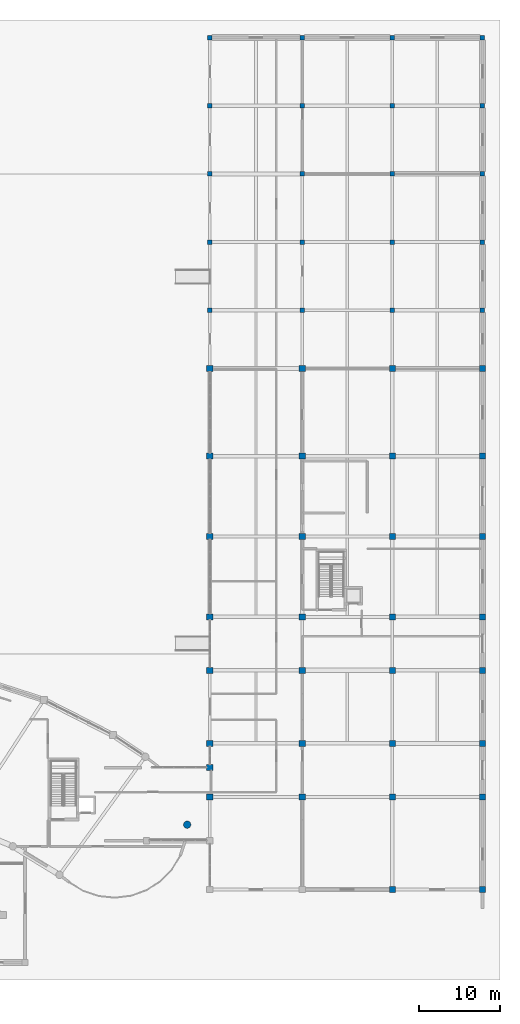
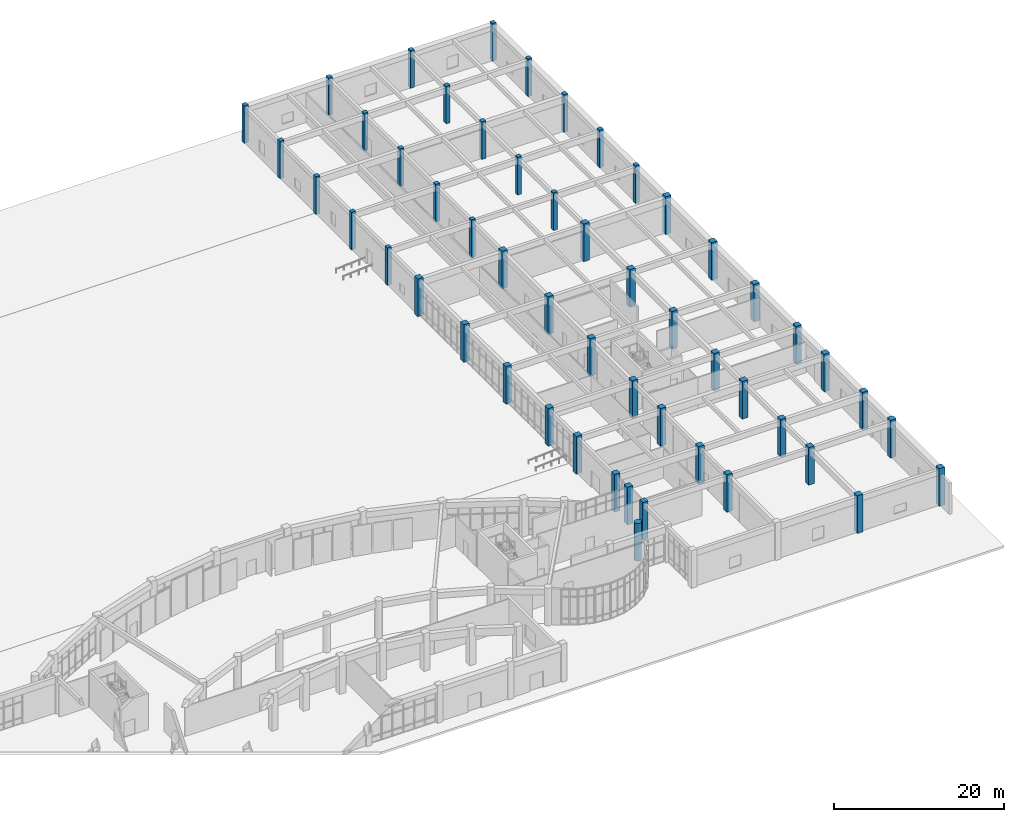
# One storey, part 4 of 70: 52 columns.
"""IFC4 building model written with IfcOpenShell, lengths in metres."""

from ifc_helpers import new_model, si_unit, direction, frame, origin, origin_2d, place, context, subcontext, project, spatial, rectangle, circle, extrude, material, material_profile, profile_set, type_object, element, save


model = new_model("IFC4")

# Units and contexts
model_context = context("Model", 3, precision=1e-05, world=origin(), true_north=direction((0.0, 1.0)))
body_context = subcontext(model_context, "Body", "Model", "MODEL_VIEW")
ifc_project = project(units=[si_unit("LENGTHUNIT", "METRE"), si_unit("AREAUNIT", "SQUARE_METRE"), si_unit("VOLUMEUNIT", "CUBIC_METRE"), si_unit("PLANEANGLEUNIT", "RADIAN"), si_unit("MASSUNIT", "GRAM", prefix="KILO")], contexts=[model_context])

# Site, building, storey
site_placement = place(None, origin())
site = spatial("IfcSite", under=ifc_project, at=site_placement, CompositionType="ELEMENT")
building_placement = place(site_placement, origin())
building = spatial("IfcBuilding", under=site, at=building_placement, Name="Miralva Faculty of Natural Sciences", CompositionType="ELEMENT")
storey_placement = place(building_placement, origin())
storey = spatial("IfcBuildingStorey", under=building, at=storey_placement, Name="L00", CompositionType="ELEMENT", Elevation=0.0)

# Columns
ifc_material_1 = material(Name="Concrete C40/50", Category="concrete")
ifc_material_profile_1 = material_profile(ifc_material_1, rectangle(XDim=0.75, YDim=0.75, at=origin_2d()), Name="RC 750x750")
ifc_profile_set_1 = profile_set([ifc_material_profile_1], Name="Concrete C40/50")
column_type_1 = type_object("IfcColumnType", Name="COL-C06", PredefinedType="COLUMN", material=ifc_profile_set_1)
for number, where, z_axis, x_axis, name in (
    (1, (133.800048828125, 27.0, 0.0), (0.0, 0.0, 1.0), (1.0, 0.0, 0.0), "Column CS-LNK-EL2N L00"),
    (2, (133.800048828125, 23.39990234375, 0.0), (0.0, 0.0, 1.0), (1.0, 0.0, 0.0), "Column CS-V2C-16C L00"),
    (3, (133.800048828125, 30.0, 0.0), (0.0, 0.0, 1.0), (1.0, 0.0, 0.0), "Column CS-V2C-16D L00"),
    (4, (133.800048828125, 39.0, 0.0), (0.0, 0.0, 1.0), (1.0, 0.0, 0.0), "Column CS-V2C-16E L00"),
    (5, (133.800048828125, 45.60009765625, 0.0), (0.0, 0.0, 1.0), (1.0, 0.0, 0.0), "Column CS-V2C-16F L00"),
    (6, (133.800048828125, 55.5, 0.0), (0.0, 0.0, 1.0), (1.0, 0.0, 0.0), "Column CS-V2C-16G L00"),
    (7, (133.800048828125, 65.39990234375, 0.0), (0.0, 0.0, 1.0), (1.0, 0.0, 0.0), "Column CS-V2C-16H L00"),
    (8, (133.800048828125, 76.199951171875, 0.0), (0.0, 0.0, 1.0), (1.0, 0.0, 0.0), "Column CS-V2C-16I L00"),
    (9, (145.199951171875, 23.39990234375, 0.0), (0.0, 0.0, 1.0), (1.0, 0.0, 0.0), "Column CS-V2C-17C L00"),
    (10, (145.199951171875, 30.0, 0.0), (0.0, 0.0, 1.0), (1.0, 0.0, 0.0), "Column CS-V2C-17D L00"),
    (11, (145.199951171875, 39.0, 0.0), (0.0, 0.0, 1.0), (1.0, 0.0, 0.0), "Column CS-V2C-17E L00"),
    (12, (145.199951171875, 45.60009765625, 0.0), (0.0, 0.0, 1.0), (1.0, 0.0, 0.0), "Column CS-V2C-17F L00"),
    (13, (145.199951171875, 55.5, 0.0), (0.0, 0.0, 1.0), (1.0, 0.0, 0.0), "Column CS-V2C-17G L00"),
    (14, (145.199951171875, 65.39990234375, 0.0), (0.0, 0.0, 1.0), (1.0, 0.0, 0.0), "Column CS-V2C-17H L00"),
    (15, (145.199951171875, 76.199951171875, 0.0), (0.0, 0.0, 1.0), (1.0, 0.0, 0.0), "Column CS-V2C-17I L00"),
    (16, (156.300048828125, 12.0, 0.0), (0.0, 0.0, 1.0), (1.0, 0.0, 0.0), "Column CS-V2C-18B12 L00"),
    (17, (156.300048828125, 23.39990234375, 0.0), (0.0, 0.0, 1.0), (1.0, 0.0, 0.0), "Column CS-V2C-18C L00"),
    (18, (156.300048828125, 30.0, 0.0), (0.0, 0.0, 1.0), (1.0, 0.0, 0.0), "Column CS-V2C-18D L00"),
    (19, (156.300048828125, 39.0, 0.0), (0.0, 0.0, 1.0), (1.0, 0.0, 0.0), "Column CS-V2C-18E L00"),
    (20, (156.300048828125, 45.60009765625, 0.0), (0.0, 0.0, 1.0), (1.0, 0.0, 0.0), "Column CS-V2C-18F L00"),
    (21, (156.300048828125, 55.5, 0.0), (0.0, 0.0, 1.0), (1.0, 0.0, 0.0), "Column CS-V2C-18G L00"),
    (22, (156.300048828125, 65.39990234375, 0.0), (0.0, 0.0, 1.0), (1.0, 0.0, 0.0), "Column CS-V2C-18H L00"),
    (23, (156.300048828125, 76.199951171875, 0.0), (0.0, 0.0, 1.0), (1.0, 0.0, 0.0), "Column CS-V2C-18I L00"),
    (24, (167.39990234375, 12.0, 0.0), (0.0, 0.0, 1.0), (1.0, 0.0, 0.0), "Column CS-V2C-19B12 L00"),
    (25, (167.39990234375, 23.39990234375, 0.0), (0.0, 0.0, 1.0), (1.0, 0.0, 0.0), "Column CS-V2C-19C L00"),
    (26, (167.39990234375, 30.0, 0.0), (0.0, 0.0, 1.0), (1.0, 0.0, 0.0), "Column CS-V2C-19D L00"),
    (27, (167.39990234375, 39.0, 0.0), (0.0, 0.0, 1.0), (1.0, 0.0, 0.0), "Column CS-V2C-19E L00"),
    (28, (167.39990234375, 45.60009765625, 0.0), (0.0, 0.0, 1.0), (1.0, 0.0, 0.0), "Column CS-V2C-19F L00"),
    (29, (167.39990234375, 55.5, 0.0), (0.0, 0.0, 1.0), (1.0, 0.0, 0.0), "Column CS-V2C-19G L00"),
    (30, (167.39990234375, 65.39990234375, 0.0), (0.0, 0.0, 1.0), (1.0, 0.0, 0.0), "Column CS-V2C-19H L00"),
    (31, (167.39990234375, 76.199951171875, 0.0), (0.0, 0.0, 1.0), (1.0, 0.0, 0.0), "Column CS-V2C-19I L00"),
):
    element("IfcColumn", number, at=place(storey_placement, frame(where, z_axis=z_axis, x_axis=x_axis)), inside=storey, type_object=column_type_1, Name=name, PredefinedType="COLUMN", context=body_context, shape_type="SweptSolid", body=[
        extrude(rectangle(XDim=0.75, YDim=0.75, at=origin_2d()), origin(), (0.0, 0.0, 1.0), 5.39990234375),
    ])
ifc_material_profile_2 = material_profile(ifc_material_1, rectangle(XDim=0.550048828125, YDim=0.550048828125, at=origin_2d()), Name="RC 550x550")
ifc_profile_set_2 = profile_set([ifc_material_profile_2], Name="Concrete C40/50")
column_type_2 = type_object("IfcColumnType", Name="COL-C10", PredefinedType="COLUMN", material=ifc_profile_set_2)
for number, where, z_axis, x_axis, name in (
    (32, (133.800048828125, 83.39990234375, 0.0), (0.0, 0.0, 1.0), (1.0, 0.0, 0.0), "Column CS-V2B-16J L00"),
    (33, (133.800048828125, 91.800048828125, 0.0), (0.0, 0.0, 1.0), (1.0, 0.0, 0.0), "Column CS-V2B-16K L00"),
    (34, (133.800048828125, 100.199951171875, 0.0), (0.0, 0.0, 1.0), (1.0, 0.0, 0.0), "Column CS-V2B-16L L00"),
    (35, (133.800048828125, 108.60009765625, 0.0), (0.0, 0.0, 1.0), (1.0, 0.0, 0.0), "Column CS-V2B-16M L00"),
    (36, (133.800048828125, 117.0, 0.0), (0.0, 0.0, 1.0), (1.0, 0.0, 0.0), "Column CS-V2B-16N L00"),
    (37, (145.199951171875, 83.39990234375, 0.0), (0.0, 0.0, 1.0), (1.0, 0.0, 0.0), "Column CS-V2B-17J L00"),
    (38, (145.199951171875, 91.800048828125, 0.0), (0.0, 0.0, 1.0), (1.0, 0.0, 0.0), "Column CS-V2B-17K L00"),
    (39, (145.199951171875, 100.199951171875, 0.0), (0.0, 0.0, 1.0), (1.0, 0.0, 0.0), "Column CS-V2B-17L L00"),
    (40, (145.199951171875, 108.60009765625, 0.0), (0.0, 0.0, 1.0), (1.0, 0.0, 0.0), "Column CS-V2B-17M L00"),
    (41, (145.199951171875, 117.0, 0.0), (0.0, 0.0, 1.0), (1.0, 0.0, 0.0), "Column CS-V2B-17N L00"),
    (42, (156.300048828125, 83.39990234375, 0.0), (0.0, 0.0, 1.0), (1.0, 0.0, 0.0), "Column CS-V2B-18J L00"),
    (43, (156.300048828125, 91.800048828125, 0.0), (0.0, 0.0, 1.0), (1.0, 0.0, 0.0), "Column CS-V2B-18K L00"),
    (44, (156.300048828125, 100.199951171875, 0.0), (0.0, 0.0, 1.0), (1.0, 0.0, 0.0), "Column CS-V2B-18L L00"),
    (45, (156.300048828125, 108.60009765625, 0.0), (0.0, 0.0, 1.0), (1.0, 0.0, 0.0), "Column CS-V2B-18M L00"),
    (46, (156.300048828125, 117.0, 0.0), (0.0, 0.0, 1.0), (1.0, 0.0, 0.0), "Column CS-V2B-18N L00"),
    (47, (167.39990234375, 83.39990234375, 0.0), (0.0, 0.0, 1.0), (1.0, 0.0, 0.0), "Column CS-V2B-19J L00"),
    (48, (167.39990234375, 91.800048828125, 0.0), (0.0, 0.0, 1.0), (1.0, 0.0, 0.0), "Column CS-V2B-19K L00"),
    (49, (167.39990234375, 100.199951171875, 0.0), (0.0, 0.0, 1.0), (1.0, 0.0, 0.0), "Column CS-V2B-19L L00"),
    (50, (167.39990234375, 108.60009765625, 0.0), (0.0, 0.0, 1.0), (1.0, 0.0, 0.0), "Column CS-V2B-19M L00"),
    (51, (167.39990234375, 117.0, 0.0), (0.0, 0.0, 1.0), (1.0, 0.0, 0.0), "Column CS-V2B-19N L00"),
):
    element("IfcColumn", number, at=place(storey_placement, frame(where, z_axis=z_axis, x_axis=x_axis)), inside=storey, type_object=column_type_2, Name=name, PredefinedType="COLUMN", context=body_context, shape_type="SweptSolid", body=[
        extrude(rectangle(XDim=0.550048828125, YDim=0.550048828125, at=origin_2d()), origin(), (0.0, 0.0, 1.0), 5.39990234375),
    ])
ifc_material_2 = material(Name="Concrete C50/60", Category="concrete")
ifc_material_profile_3 = material_profile(ifc_material_2, circle(Radius=0.449951171875, at=origin_2d()), Name="RC DIA 900")
ifc_profile_set_3 = profile_set([ifc_material_profile_3], Name="Concrete C50/60")
column_type_3 = type_object("IfcColumnType", Name="COL-C13", PredefinedType="COLUMN", material=ifc_profile_set_3)
column_placement = place(storey_placement, frame((131.014404296875, 19.9765625, 0.0), z_axis=(0.0, 0.0, 1.0), x_axis=(1.0, 0.0, 0.0)))
element("IfcColumn", 52, at=column_placement, inside=storey, type_object=column_type_3, Name="Column CS-RND-E01 L00", PredefinedType="COLUMN", context=body_context, shape_type="SweptSolid", body=[
    extrude(circle(Radius=0.449951171875, at=origin_2d()), origin(), (0.0, 0.0, 1.0), 5.39990234375),
])

save(model, "model.ifc")
